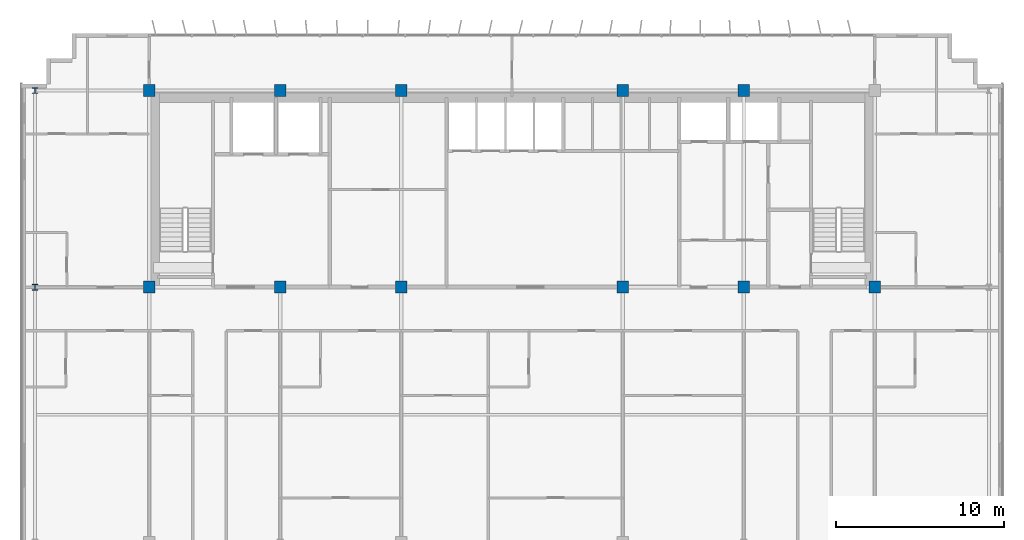
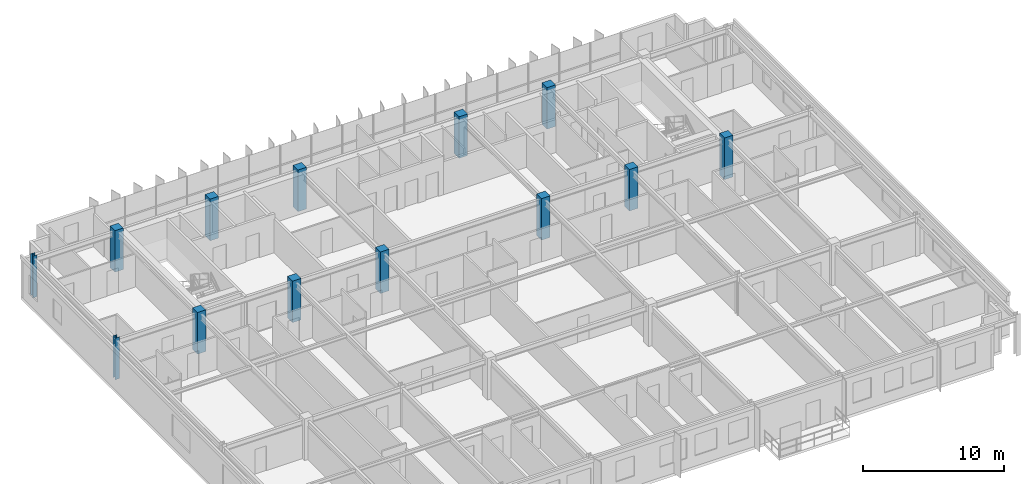
# One storey, part 3 of 23: 13 columns.
"""IFC4 building model written with IfcOpenShell, lengths in metres."""

from ifc_helpers import new_model, si_unit, direction, frame, origin, origin_2d, place, context, subcontext, project, spatial, rectangle, i_section, extrude, source, transform, mapped, material, material_profile, profile_set, type_object, element, save


model = new_model("IFC4")

# Units and contexts
model_context = context("Model", 3, precision=1e-05, world=origin(), true_north=direction((0.0, 1.0)))
body_context = subcontext(model_context, "Body", "Model", "MODEL_VIEW")
ifc_project = project(units=[si_unit("LENGTHUNIT", "METRE"), si_unit("AREAUNIT", "SQUARE_METRE"), si_unit("VOLUMEUNIT", "CUBIC_METRE"), si_unit("PLANEANGLEUNIT", "RADIAN"), si_unit("MASSUNIT", "GRAM", prefix="KILO")], contexts=[model_context])

# Site, building, storey
site_placement = place(None, origin())
site = spatial("IfcSite", under=ifc_project, at=site_placement, CompositionType="ELEMENT")
building_placement = place(site_placement, origin())
building = spatial("IfcBuilding", under=site, at=building_placement, Name="Trelvane Seafront Commons", CompositionType="ELEMENT")
storey_placement = place(building_placement, frame((0.0, 0.0, 208.5)))
storey = spatial("IfcBuildingStorey", under=building, at=storey_placement, Name="L54", CompositionType="ELEMENT", Elevation=208.5)

# Columns
ifc_material_1 = material(Name="Concrete C50/60", Category="concrete")
ifc_material_profile_1 = material_profile(ifc_material_1, rectangle(XDim=0.699951171875, YDim=0.699951171875, at=origin_2d()), Name="RC-700x700")
ifc_profile_set_1 = profile_set([ifc_material_profile_1], Name="Concrete C50/60")
column_type_1 = type_object("IfcColumnType", Name="STR-COL-RC700", PredefinedType="COLUMN", material=ifc_profile_set_1)
shared_shape_1 = source(origin(), body_context, "Body", "SweptSolid", [
    extrude(rectangle(XDim=0.699951171875, YDim=0.699951171875, at=origin_2d()), origin(), (0.0, 0.0, 1.0), 3.60009765625),
])
for number, where, z_axis, x_axis, name in (
    (1, (15.60009765625, 33.39990234375, 0.0), (0.0, 0.0, 1.0), (1.0, 0.0, 0.0), "L54 Column TC-CS15.6"),
    (2, (15.60009765625, 45.10009765625, 0.0), (0.0, 0.0, 1.0), (1.0, 0.0, 0.0), "L54 Column TC-CN15.6"),
    (3, (23.39990234375, 33.39990234375, 0.0), (0.0, 0.0, 1.0), (1.0, 0.0, 0.0), "L54 Column TC-CS23.4"),
    (4, (23.39990234375, 45.10009765625, 0.0), (0.0, 0.0, 1.0), (1.0, 0.0, 0.0), "L54 Column TC-CN23.4"),
    (5, (30.60009765625, 33.39990234375, 0.0), (0.0, 0.0, 1.0), (1.0, 0.0, 0.0), "L54 Column TC-CS30.6"),
    (6, (30.60009765625, 45.10009765625, 0.0), (0.0, 0.0, 1.0), (1.0, 0.0, 0.0), "L54 Column TC-CN30.6"),
    (7, (43.800048828125, 33.39990234375, 0.0), (0.0, 0.0, 1.0), (1.0, 0.0, 0.0), "L54 Column TC-CS43.8"),
    (8, (43.800048828125, 45.10009765625, 0.0), (0.0, 0.0, 1.0), (1.0, 0.0, 0.0), "L54 Column TC-CN43.8"),
    (9, (51.0, 33.39990234375, 0.0), (0.0, 0.0, 1.0), (1.0, 0.0, 0.0), "L54 Column TC-CS51.0"),
    (10, (51.0, 45.10009765625, 0.0), (0.0, 0.0, 1.0), (1.0, 0.0, 0.0), "L54 Column TC-CN51.0"),
    (11, (58.800048828125, 33.39990234375, 0.0), (0.0, 0.0, 1.0), (1.0, 0.0, 0.0), "L54 Column TC-CS58.8"),
):
    element("IfcColumn", number, at=place(storey_placement, frame(where, z_axis=z_axis, x_axis=x_axis)), inside=storey, type_object=column_type_1, Name=name, PredefinedType="COLUMN", context=body_context, shape_type="MappedRepresentation", body=[
        mapped(shared_shape_1, transform((0.0, 0.0, 0.0), x_axis=(1.0, 0.0, 0.0), y_axis=(0.0, 1.0, 0.0), z_axis=(0.0, 0.0, 1.0), scale=1.0)),
    ])
ifc_material_2 = material(Name="Steel SM355 (S355)", Category="steel")
ifc_material_profile_2 = material_profile(ifc_material_2, i_section(OverallWidth=0.35009765625, OverallDepth=0.35009765625, WebThickness=0.01806640625, FlangeThickness=0.028076171875, at=origin_2d()), Name="HD-350x350x18x28")
ifc_profile_set_2 = profile_set([ifc_material_profile_2], Name="Steel SM355 (S355)")
column_type_2 = type_object("IfcColumnType", Name="STR-COL-HD350", PredefinedType="COLUMN", material=ifc_profile_set_2)
shared_shape_2 = source(origin(), body_context, "Body", "SweptSolid", [
    extrude(i_section(OverallWidth=0.35009765625, OverallDepth=0.35009765625, WebThickness=0.01806640625, FlangeThickness=0.028076171875, at=origin_2d()), origin(), (0.0, 0.0, 1.0), 3.60009765625),
])
for number, where, z_axis, x_axis, name in (
    (12, (8.800048828125, 33.39990234375, 0.0), (0.0, 0.0, 1.0), (1.0, 0.0, 0.0), "L54 Column TC-CS8.8"),
    (13, (8.800048828125, 45.10009765625, 0.0), (0.0, 0.0, 1.0), (1.0, 0.0, 0.0), "L54 Column TC-CN8.8"),
):
    element("IfcColumn", number, at=place(storey_placement, frame(where, z_axis=z_axis, x_axis=x_axis)), inside=storey, type_object=column_type_2, Name=name, PredefinedType="COLUMN", context=body_context, shape_type="MappedRepresentation", body=[
        mapped(shared_shape_2, transform((0.0, 0.0, 0.0), x_axis=(1.0, 0.0, 0.0), y_axis=(0.0, 1.0, 0.0), z_axis=(0.0, 0.0, 1.0), scale=1.0)),
    ])

save(model, "model.ifc")
